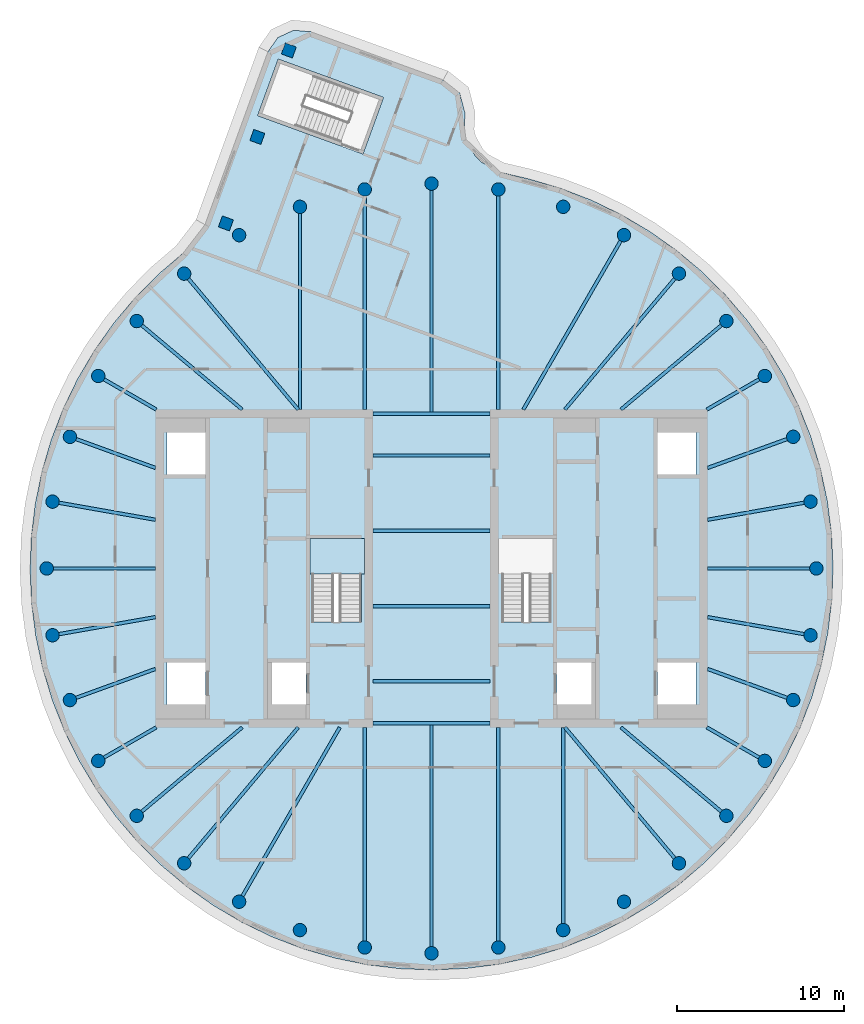
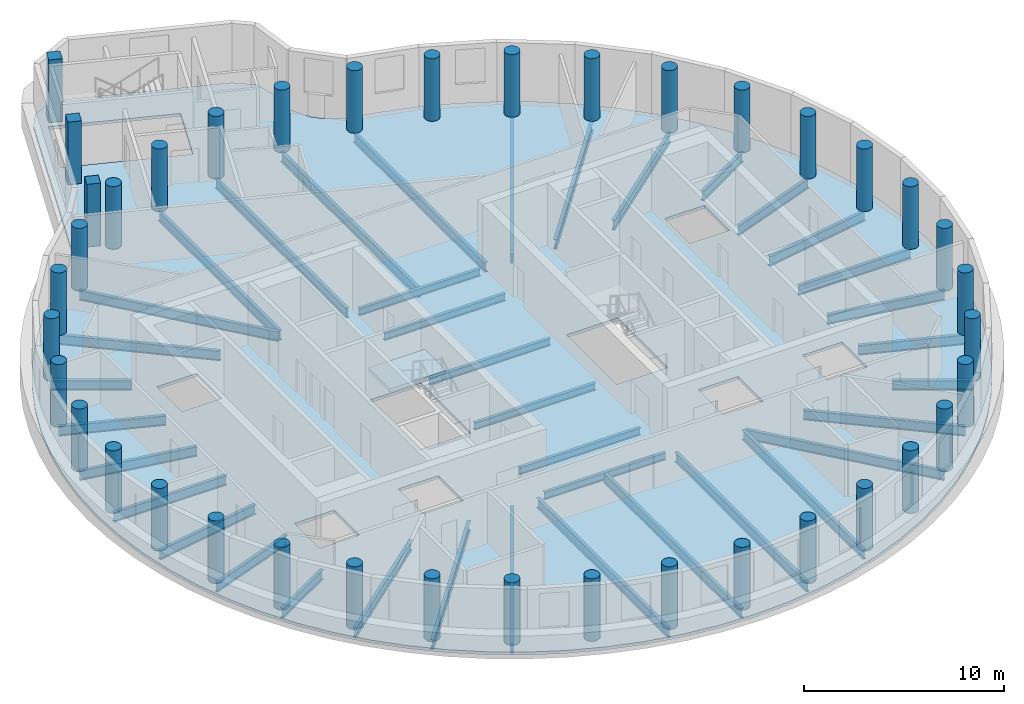
# One storey, part 1 of 7: 39 columns, 38 beams, 2 slabs, 1 element without a shape of its own.
"""IFC4 building model written with IfcOpenShell, lengths in metres."""

from ifc_helpers import new_model, si_unit, direction, frame, origin, origin_2d, place, context, subcontext, project, spatial, polyline, rectangle, circle, i_section, outline, extrude, material, layer, layer_set, material_profile, profile_set, type_object, element, aggregate, save


model = new_model("IFC4")

# Units and contexts
model_context = context("Model", 3, precision=1e-05, world=origin(), true_north=direction((0.0, 1.0)))
body_context = subcontext(model_context, "Body", "Model", "MODEL_VIEW")
ifc_project = project(units=[si_unit("LENGTHUNIT", "METRE"), si_unit("AREAUNIT", "SQUARE_METRE"), si_unit("VOLUMEUNIT", "CUBIC_METRE"), si_unit("PLANEANGLEUNIT", "RADIAN"), si_unit("MASSUNIT", "GRAM", prefix="KILO")], contexts=[model_context])

# Site, building, storey
site_placement = place(None, origin())
site = spatial("IfcSite", under=ifc_project, at=site_placement, CompositionType="ELEMENT")
building_placement = place(site_placement, origin())
building = spatial("IfcBuilding", under=site, at=building_placement, Name="Tamarind Cross Interchange Tower", CompositionType="ELEMENT")
storey_placement = place(building_placement, frame((0.0, 0.0, 305.39990234375)))
storey = spatial("IfcBuildingStorey", under=building, at=storey_placement, Name="L75", CompositionType="ELEMENT", Elevation=305.39990234375)

# Columns
ifc_material_1 = material(Name="Concrete C45", Category="concrete")
ifc_material_profile_1 = material_profile(ifc_material_1, rectangle(XDim=0.699951171875, YDim=0.699951171875, at=origin_2d()), Name="RC 700x700")
ifc_profile_set_1 = profile_set([ifc_material_profile_1], Name="Concrete C45")
column_type_1 = type_object("IfcColumnType", Name="Column RC 700x700 Concrete C45", PredefinedType="COLUMN", material=ifc_profile_set_1)
for number, where, z_axis, x_axis, name in (
    (1, (-8.530029296875, 30.957275390625, -0.179931640625), (0.0, 0.0, 1.0), (0.341993902024, 0.939702171424, 0.0), "Column L75-047"),
    (2, (-10.4111328125, 25.7890625, -0.179931640625), (0.0, 0.0, 1.0), (0.341993902024, 0.939702171424, 0.0), "Column L75-048"),
    (3, (-12.2919921875, 20.62060546875, -0.179931640625), (0.0, 0.0, 1.0), (0.341993902024, 0.939702171424, 0.0), "Column L75-049"),
):
    element("IfcColumn", number, at=place(storey_placement, frame(where, z_axis=z_axis, x_axis=x_axis)), inside=storey, type_object=column_type_1, Name=name, PredefinedType="COLUMN", context=body_context, shape_type="SweptSolid", body=[
        extrude(rectangle(XDim=0.699951171875, YDim=0.699951171875, at=origin_2d()), origin(), (0.0, 0.0, 1.0), 4.0),
    ])
ifc_material_profile_2 = material_profile(ifc_material_1, circle(Radius=0.39990234375, at=origin_2d()), Name="RC D800")
ifc_profile_set_2 = profile_set([ifc_material_profile_2], Name="Concrete C45")
column_type_2 = type_object("IfcColumnType", Name="Column RC D800 Concrete C45", PredefinedType="COLUMN", material=ifc_profile_set_2)
for number, where, z_axis, x_axis, name in (
    (4, (23.0, 0.0, -0.179931640625), (0.0, 0.0, 1.0), (1.0, 0.0, 0.0), "Column L75-000"),
    (5, (22.650634765625, 3.993896484375, -0.179931640625), (0.0, 0.0, 1.0), (1.0, 0.0, 0.0), "Column L75-001"),
    (6, (21.613037109375, 7.866455078125, -0.179931640625), (0.0, 0.0, 1.0), (1.0, 0.0, 0.0), "Column L75-002"),
    (7, (19.918701171875, 11.5, -0.179931640625), (0.0, 0.0, 1.0), (1.0, 0.0, 0.0), "Column L75-003"),
    (8, (17.619140625, 14.7841796875, -0.179931640625), (0.0, 0.0, 1.0), (1.0, 0.0, 0.0), "Column L75-004"),
    (9, (14.7841796875, 17.619140625, -0.179931640625), (0.0, 0.0, 1.0), (1.0, 0.0, 0.0), "Column L75-005"),
    (10, (11.5, 19.918701171875, -0.179931640625), (0.0, 0.0, 1.0), (1.0, 0.0, 0.0), "Column L75-006"),
    (11, (7.866455078125, 21.613037109375, -0.179931640625), (0.0, 0.0, 1.0), (1.0, 0.0, 0.0), "Column L75-007"),
    (12, (3.993896484375, 22.650634765625, -0.179931640625), (0.0, 0.0, 1.0), (1.0, 0.0, 0.0), "Column L75-008"),
    (13, (0.0, 23.0, -0.179931640625), (0.0, 0.0, 1.0), (1.0, 0.0, 0.0), "Column L75-009"),
    (14, (-3.993896484375, 22.650634765625, -0.179931640625), (0.0, 0.0, 1.0), (1.0, 0.0, 0.0), "Column L75-010"),
    (15, (-7.866455078125, 21.613037109375, -0.179931640625), (0.0, 0.0, 1.0), (1.0, 0.0, 0.0), "Column L75-011"),
    (16, (-11.5, 19.918701171875, -0.179931640625), (0.0, 0.0, 1.0), (1.0, 0.0, 0.0), "Column L75-012"),
    (17, (-14.7841796875, 17.619140625, -0.179931640625), (0.0, 0.0, 1.0), (1.0, 0.0, 0.0), "Column L75-013"),
    (18, (-17.619140625, 14.7841796875, -0.179931640625), (0.0, 0.0, 1.0), (1.0, 0.0, 0.0), "Column L75-014"),
    (19, (-19.918701171875, 11.5, -0.179931640625), (0.0, 0.0, 1.0), (1.0, 0.0, 0.0), "Column L75-015"),
    (20, (-21.613037109375, 7.866455078125, -0.179931640625), (0.0, 0.0, 1.0), (1.0, 0.0, 0.0), "Column L75-016"),
    (21, (-22.650634765625, 3.993896484375, -0.179931640625), (0.0, 0.0, 1.0), (1.0, 0.0, 0.0), "Column L75-017"),
    (22, (-23.0, 0.0, -0.179931640625), (0.0, 0.0, 1.0), (1.0, 0.0, 0.0), "Column L75-018"),
    (23, (-22.650634765625, -3.993896484375, -0.179931640625), (0.0, 0.0, 1.0), (1.0, 0.0, 0.0), "Column L75-019"),
    (24, (-21.613037109375, -7.866455078125, -0.179931640625), (0.0, 0.0, 1.0), (1.0, 0.0, 0.0), "Column L75-020"),
    (25, (-19.918701171875, -11.5, -0.179931640625), (0.0, 0.0, 1.0), (1.0, 0.0, 0.0), "Column L75-021"),
    (26, (-17.619140625, -14.7841796875, -0.179931640625), (0.0, 0.0, 1.0), (1.0, 0.0, 0.0), "Column L75-022"),
    (27, (-14.7841796875, -17.619140625, -0.179931640625), (0.0, 0.0, 1.0), (1.0, 0.0, 0.0), "Column L75-023"),
    (28, (-11.5, -19.918701171875, -0.179931640625), (0.0, 0.0, 1.0), (1.0, 0.0, 0.0), "Column L75-024"),
    (29, (-7.866455078125, -21.613037109375, -0.179931640625), (0.0, 0.0, 1.0), (1.0, 0.0, 0.0), "Column L75-025"),
    (30, (-3.993896484375, -22.650634765625, -0.179931640625), (0.0, 0.0, 1.0), (1.0, 0.0, 0.0), "Column L75-026"),
    (31, (0.0, -23.0, -0.179931640625), (0.0, 0.0, 1.0), (1.0, 0.0, 0.0), "Column L75-027"),
    (32, (3.993896484375, -22.650634765625, -0.179931640625), (0.0, 0.0, 1.0), (1.0, 0.0, 0.0), "Column L75-028"),
    (33, (7.866455078125, -21.613037109375, -0.179931640625), (0.0, 0.0, 1.0), (1.0, 0.0, 0.0), "Column L75-029"),
    (34, (11.5, -19.918701171875, -0.179931640625), (0.0, 0.0, 1.0), (1.0, 0.0, 0.0), "Column L75-030"),
    (35, (14.7841796875, -17.619140625, -0.179931640625), (0.0, 0.0, 1.0), (1.0, 0.0, 0.0), "Column L75-031"),
    (36, (17.619140625, -14.7841796875, -0.179931640625), (0.0, 0.0, 1.0), (1.0, 0.0, 0.0), "Column L75-032"),
    (37, (19.918701171875, -11.5, -0.179931640625), (0.0, 0.0, 1.0), (1.0, 0.0, 0.0), "Column L75-033"),
    (38, (21.613037109375, -7.866455078125, -0.179931640625), (0.0, 0.0, 1.0), (1.0, 0.0, 0.0), "Column L75-034"),
    (39, (22.650634765625, -3.993896484375, -0.179931640625), (0.0, 0.0, 1.0), (1.0, 0.0, 0.0), "Column L75-035"),
):
    element("IfcColumn", number, at=place(storey_placement, frame(where, z_axis=z_axis, x_axis=x_axis)), inside=storey, type_object=column_type_2, Name=name, PredefinedType="COLUMN", context=body_context, shape_type="SweptSolid", body=[
        extrude(circle(Radius=0.39990234375, at=origin_2d()), origin(), (0.0, 0.0, 1.0), 4.0),
    ])

# Beams
ifc_material_2 = material(Name="Steel Q355B", Category="steel")
ifc_material_profile_3 = material_profile(ifc_material_2, i_section(OverallWidth=0.198974609375, OverallDepth=0.446044921875, WebThickness=0.008056640625, FlangeThickness=0.011962890625, FilletRadius=0.012939453125, at=origin_2d()), Name="HN 446x199x8x12")
ifc_profile_set_3 = profile_set([ifc_material_profile_3], Name="Steel Q355B")
beam_type_1 = type_object("IfcBeamType", Name="Composite beam HN 446x199x8x12 Q355B", PredefinedType="BEAM", material=ifc_profile_set_3)
for number, where, z_axis, x_axis, name in (
    (40, (-3.5, -2.25, -0.40283203125), (1.0, 0.0, 0.0), (0.0, 1.0, 0.0), "Beam G-2.25"),
    (41, (-3.5, -6.75, -0.40283203125), (1.0, 0.0, 0.0), (0.0, 1.0, 0.0), "Beam G-6.75"),
    (42, (-3.5, -9.25, -0.40283203125), (1.0, 0.0, 0.0), (0.0, 1.0, 0.0), "Beam G-9.25"),
    (43, (-3.5, 2.25, -0.40283203125), (1.0, 0.0, 0.0), (0.0, 1.0, 0.0), "Beam G2.25"),
    (44, (-3.5, 6.75, -0.40283203125), (1.0, 0.0, 0.0), (0.0, 1.0, 0.0), "Beam G6.75"),
    (45, (-3.5, 9.25, -0.40283203125), (1.0, 0.0, 0.0), (0.0, 1.0, 0.0), "Beam G9.25"),
):
    element("IfcBeam", number, at=place(storey_placement, frame(where, z_axis=z_axis, x_axis=x_axis)), inside=storey, type_object=beam_type_1, Name=name, PredefinedType="BEAM", context=body_context, shape_type="SweptSolid", body=[
        extrude(i_section(OverallWidth=0.198974609375, OverallDepth=0.446044921875, WebThickness=0.008056640625, FlangeThickness=0.011962890625, FilletRadius=0.012939453125, at=origin_2d()), origin(), (0.0, 0.0, 1.0), 7.0),
    ])
ifc_material_profile_4 = material_profile(ifc_material_2, i_section(OverallWidth=0.198974609375, OverallDepth=0.595947265625, WebThickness=0.010009765625, FlangeThickness=0.014892578125, FilletRadius=0.012939453125, at=origin_2d()), Name="HN 596x199x10x15")
ifc_profile_set_4 = profile_set([ifc_material_profile_4], Name="Steel Q355B")
beam_type_2 = type_object("IfcBeamType", Name="Composite beam HN 596x199x10x15 Q355B", PredefinedType="BEAM", material=ifc_profile_set_4)
beam_1_placement = place(storey_placement, frame((23.0, 0.0, -0.477783203125), z_axis=(-1.0, 0.0, 0.0), x_axis=(0.0, -1.0, 0.0)))
element("IfcBeam", 46, at=beam_1_placement, inside=storey, type_object=beam_type_2, Name="Beam HH00", PredefinedType="BEAM", context=body_context, shape_type="SweptSolid", body=[
    extrude(i_section(OverallWidth=0.198974609375, OverallDepth=0.595947265625, WebThickness=0.010009765625, FlangeThickness=0.014892578125, FilletRadius=0.012939453125, at=origin_2d()), origin(), (0.0, 0.0, 1.0), 6.5),
])
beam_2_placement = place(storey_placement, frame((22.650634765625, 3.993896484375, -0.477783203125), z_axis=(-0.984809127561, -0.173640382036, 0.0), x_axis=(0.173640382036, -0.984809127561, 0.0)))
element("IfcBeam", 47, at=beam_2_placement, inside=storey, type_object=beam_type_2, Name="Beam HH01", PredefinedType="BEAM", context=body_context, shape_type="SweptSolid", body=[
    extrude(i_section(OverallWidth=0.198974609375, OverallDepth=0.595947265625, WebThickness=0.010009765625, FlangeThickness=0.014892578125, FilletRadius=0.012939453125, at=origin_2d()), origin(), (0.0, 0.0, 1.0), 6.24560546875),
])
beam_3_placement = place(storey_placement, frame((21.613037109375, 7.866455078125, -0.477783203125), z_axis=(-0.939701685589, -0.341995236956, 0.0), x_axis=(0.341995236956, -0.939701685589, 0.0)))
element("IfcBeam", 48, at=beam_3_placement, inside=storey, type_object=beam_type_2, Name="Beam HH02", PredefinedType="BEAM", context=body_context, shape_type="SweptSolid", body=[
    extrude(i_section(OverallWidth=0.198974609375, OverallDepth=0.595947265625, WebThickness=0.010009765625, FlangeThickness=0.014892578125, FilletRadius=0.012939453125, at=origin_2d()), origin(), (0.0, 0.0, 1.0), 5.441162109375),
])
beam_4_placement = place(storey_placement, frame((19.918701171875, 11.5, -0.477783203125), z_axis=(-0.866026010844, -0.49999894854, 0.0), x_axis=(0.49999894854, -0.866026010844, 0.0)))
element("IfcBeam", 49, at=beam_4_placement, inside=storey, type_object=beam_type_2, Name="Beam HH03", PredefinedType="BEAM", context=body_context, shape_type="SweptSolid", body=[
    extrude(i_section(OverallWidth=0.198974609375, OverallDepth=0.595947265625, WebThickness=0.010009765625, FlangeThickness=0.014892578125, FilletRadius=0.012939453125, at=origin_2d()), origin(), (0.0, 0.0, 1.0), 4.0),
])
beam_5_placement = place(storey_placement, frame((17.619140625, 14.7841796875, -0.477783203125), z_axis=(-0.766040580814, -0.642792212574, 0.0), x_axis=(0.642792212574, -0.766040580814, 0.0)))
element("IfcBeam", 50, at=beam_5_placement, inside=storey, type_object=beam_type_2, Name="Beam HH04", PredefinedType="BEAM", context=body_context, shape_type="SweptSolid", body=[
    extrude(i_section(OverallWidth=0.198974609375, OverallDepth=0.595947265625, WebThickness=0.010009765625, FlangeThickness=0.014892578125, FilletRadius=0.012939453125, at=origin_2d()), origin(), (0.0, 0.0, 1.0), 8.220703125),
])
beam_6_placement = place(storey_placement, frame((14.7841796875, 17.619140625, -0.477783203125), z_axis=(-0.642786293979, -0.766045547127, 0.0), x_axis=(0.766045547127, -0.642786293979, 0.0)))
element("IfcBeam", 51, at=beam_6_placement, inside=storey, type_object=beam_type_2, Name="Beam HH05", PredefinedType="BEAM", context=body_context, shape_type="SweptSolid", body=[
    extrude(i_section(OverallWidth=0.198974609375, OverallDepth=0.595947265625, WebThickness=0.010009765625, FlangeThickness=0.014892578125, FilletRadius=0.012939453125, at=origin_2d()), origin(), (0.0, 0.0, 1.0), 10.598876953125),
])
beam_7_placement = place(storey_placement, frame((11.5, 19.918701171875, -0.477783203125), z_axis=(-0.499993565836, -0.866029118519, 0.0), x_axis=(0.866029118519, -0.499993565836, 0.0)))
element("IfcBeam", 52, at=beam_7_placement, inside=storey, type_object=beam_type_2, Name="Beam HH06", PredefinedType="BEAM", context=body_context, shape_type="SweptSolid", body=[
    extrude(i_section(OverallWidth=0.198974609375, OverallDepth=0.595947265625, WebThickness=0.010009765625, FlangeThickness=0.014892578125, FilletRadius=0.012939453125, at=origin_2d()), origin(), (0.0, 0.0, 1.0), 12.030517578125),
])
beam_8_placement = place(storey_placement, frame((3.993896484375, 22.650634765625, -0.477783203125), z_axis=(0.0, -1.0, 0.0), x_axis=(1.0, 0.0, 0.0)))
element("IfcBeam", 53, at=beam_8_placement, inside=storey, type_object=beam_type_2, Name="Beam HH08", PredefinedType="BEAM", context=body_context, shape_type="SweptSolid", body=[
    extrude(i_section(OverallWidth=0.198974609375, OverallDepth=0.595947265625, WebThickness=0.010009765625, FlangeThickness=0.014892578125, FilletRadius=0.012939453125, at=origin_2d()), origin(), (0.0, 0.0, 1.0), 13.150634765625),
])
beam_9_placement = place(storey_placement, frame((0.0, 23.0, -0.477783203125), z_axis=(0.0, -1.0, 0.0), x_axis=(1.0, 0.0, 0.0)))
element("IfcBeam", 54, at=beam_9_placement, inside=storey, type_object=beam_type_2, Name="Beam HH09", PredefinedType="BEAM", context=body_context, shape_type="SweptSolid", body=[
    extrude(i_section(OverallWidth=0.198974609375, OverallDepth=0.595947265625, WebThickness=0.010009765625, FlangeThickness=0.014892578125, FilletRadius=0.012939453125, at=origin_2d()), origin(), (0.0, 0.0, 1.0), 13.75),
])
beam_10_placement = place(storey_placement, frame((-3.993896484375, 22.650634765625, -0.477783203125), z_axis=(0.0, -1.0, 0.0), x_axis=(1.0, 0.0, 0.0)))
element("IfcBeam", 55, at=beam_10_placement, inside=storey, type_object=beam_type_2, Name="Beam HH10", PredefinedType="BEAM", context=body_context, shape_type="SweptSolid", body=[
    extrude(i_section(OverallWidth=0.198974609375, OverallDepth=0.595947265625, WebThickness=0.010009765625, FlangeThickness=0.014892578125, FilletRadius=0.012939453125, at=origin_2d()), origin(), (0.0, 0.0, 1.0), 13.150634765625),
])
beam_11_placement = place(storey_placement, frame((-7.866455078125, 21.613037109375, -0.477783203125), z_axis=(0.0, -1.0, 0.0), x_axis=(1.0, 0.0, 0.0)))
element("IfcBeam", 56, at=beam_11_placement, inside=storey, type_object=beam_type_2, Name="Beam HH11", PredefinedType="BEAM", context=body_context, shape_type="SweptSolid", body=[
    extrude(i_section(OverallWidth=0.198974609375, OverallDepth=0.595947265625, WebThickness=0.010009765625, FlangeThickness=0.014892578125, FilletRadius=0.012939453125, at=origin_2d()), origin(), (0.0, 0.0, 1.0), 12.113037109375),
])
beam_12_placement = place(storey_placement, frame((-14.7841796875, 17.619140625, -0.477783203125), z_axis=(0.642786293979, -0.766045547127, 0.0), x_axis=(0.766045547127, 0.642786293979, 0.0)))
element("IfcBeam", 57, at=beam_12_placement, inside=storey, type_object=beam_type_2, Name="Beam HH13", PredefinedType="BEAM", context=body_context, shape_type="SweptSolid", body=[
    extrude(i_section(OverallWidth=0.198974609375, OverallDepth=0.595947265625, WebThickness=0.010009765625, FlangeThickness=0.014892578125, FilletRadius=0.012939453125, at=origin_2d()), origin(), (0.0, 0.0, 1.0), 10.598876953125),
])
beam_13_placement = place(storey_placement, frame((-17.619140625, 14.7841796875, -0.477783203125), z_axis=(0.766040580814, -0.642792212574, 0.0), x_axis=(0.642792212574, 0.766040580814, 0.0)))
element("IfcBeam", 58, at=beam_13_placement, inside=storey, type_object=beam_type_2, Name="Beam HH14", PredefinedType="BEAM", context=body_context, shape_type="SweptSolid", body=[
    extrude(i_section(OverallWidth=0.198974609375, OverallDepth=0.595947265625, WebThickness=0.010009765625, FlangeThickness=0.014892578125, FilletRadius=0.012939453125, at=origin_2d()), origin(), (0.0, 0.0, 1.0), 8.220703125),
])
beam_14_placement = place(storey_placement, frame((-19.918701171875, 11.5, -0.477783203125), z_axis=(0.866026010844, -0.49999894854, 0.0), x_axis=(0.49999894854, 0.866026010844, 0.0)))
element("IfcBeam", 59, at=beam_14_placement, inside=storey, type_object=beam_type_2, Name="Beam HH15", PredefinedType="BEAM", context=body_context, shape_type="SweptSolid", body=[
    extrude(i_section(OverallWidth=0.198974609375, OverallDepth=0.595947265625, WebThickness=0.010009765625, FlangeThickness=0.014892578125, FilletRadius=0.012939453125, at=origin_2d()), origin(), (0.0, 0.0, 1.0), 4.0),
])
beam_15_placement = place(storey_placement, frame((-21.613037109375, 7.866455078125, -0.477783203125), z_axis=(0.939701685589, -0.341995236956, 0.0), x_axis=(0.341995236956, 0.939701685589, 0.0)))
element("IfcBeam", 60, at=beam_15_placement, inside=storey, type_object=beam_type_2, Name="Beam HH16", PredefinedType="BEAM", context=body_context, shape_type="SweptSolid", body=[
    extrude(i_section(OverallWidth=0.198974609375, OverallDepth=0.595947265625, WebThickness=0.010009765625, FlangeThickness=0.014892578125, FilletRadius=0.012939453125, at=origin_2d()), origin(), (0.0, 0.0, 1.0), 5.441162109375),
])
beam_16_placement = place(storey_placement, frame((-22.650634765625, 3.993896484375, -0.477783203125), z_axis=(0.984809127561, -0.173640382036, 0.0), x_axis=(0.173640382036, 0.984809127561, 0.0)))
element("IfcBeam", 61, at=beam_16_placement, inside=storey, type_object=beam_type_2, Name="Beam HH17", PredefinedType="BEAM", context=body_context, shape_type="SweptSolid", body=[
    extrude(i_section(OverallWidth=0.198974609375, OverallDepth=0.595947265625, WebThickness=0.010009765625, FlangeThickness=0.014892578125, FilletRadius=0.012939453125, at=origin_2d()), origin(), (0.0, 0.0, 1.0), 6.24560546875),
])
beam_17_placement = place(storey_placement, frame((-23.0, 0.0, -0.477783203125), z_axis=(1.0, 0.0, 0.0), x_axis=(0.0, 1.0, 0.0)))
element("IfcBeam", 62, at=beam_17_placement, inside=storey, type_object=beam_type_2, Name="Beam HH18", PredefinedType="BEAM", context=body_context, shape_type="SweptSolid", body=[
    extrude(i_section(OverallWidth=0.198974609375, OverallDepth=0.595947265625, WebThickness=0.010009765625, FlangeThickness=0.014892578125, FilletRadius=0.012939453125, at=origin_2d()), origin(), (0.0, 0.0, 1.0), 6.5),
])
beam_18_placement = place(storey_placement, frame((-22.650634765625, -3.993896484375, -0.477783203125), z_axis=(0.984809127561, 0.173640382036, 0.0), x_axis=(-0.173640382036, 0.984809127561, 0.0)))
element("IfcBeam", 63, at=beam_18_placement, inside=storey, type_object=beam_type_2, Name="Beam HH19", PredefinedType="BEAM", context=body_context, shape_type="SweptSolid", body=[
    extrude(i_section(OverallWidth=0.198974609375, OverallDepth=0.595947265625, WebThickness=0.010009765625, FlangeThickness=0.014892578125, FilletRadius=0.012939453125, at=origin_2d()), origin(), (0.0, 0.0, 1.0), 6.24560546875),
])
beam_19_placement = place(storey_placement, frame((-21.613037109375, -7.866455078125, -0.477783203125), z_axis=(0.939701685589, 0.341995236956, 0.0), x_axis=(-0.341995236956, 0.939701685589, 0.0)))
element("IfcBeam", 64, at=beam_19_placement, inside=storey, type_object=beam_type_2, Name="Beam HH20", PredefinedType="BEAM", context=body_context, shape_type="SweptSolid", body=[
    extrude(i_section(OverallWidth=0.198974609375, OverallDepth=0.595947265625, WebThickness=0.010009765625, FlangeThickness=0.014892578125, FilletRadius=0.012939453125, at=origin_2d()), origin(), (0.0, 0.0, 1.0), 5.441162109375),
])
beam_20_placement = place(storey_placement, frame((-19.918701171875, -11.5, -0.477783203125), z_axis=(0.866026010844, 0.49999894854, 0.0), x_axis=(-0.49999894854, 0.866026010844, 0.0)))
element("IfcBeam", 65, at=beam_20_placement, inside=storey, type_object=beam_type_2, Name="Beam HH21", PredefinedType="BEAM", context=body_context, shape_type="SweptSolid", body=[
    extrude(i_section(OverallWidth=0.198974609375, OverallDepth=0.595947265625, WebThickness=0.010009765625, FlangeThickness=0.014892578125, FilletRadius=0.012939453125, at=origin_2d()), origin(), (0.0, 0.0, 1.0), 4.0),
])
beam_21_placement = place(storey_placement, frame((-17.619140625, -14.7841796875, -0.477783203125), z_axis=(0.766040580814, 0.642792212574, 0.0), x_axis=(-0.642792212574, 0.766040580814, 0.0)))
element("IfcBeam", 66, at=beam_21_placement, inside=storey, type_object=beam_type_2, Name="Beam HH22", PredefinedType="BEAM", context=body_context, shape_type="SweptSolid", body=[
    extrude(i_section(OverallWidth=0.198974609375, OverallDepth=0.595947265625, WebThickness=0.010009765625, FlangeThickness=0.014892578125, FilletRadius=0.012939453125, at=origin_2d()), origin(), (0.0, 0.0, 1.0), 8.220703125),
])
beam_22_placement = place(storey_placement, frame((-14.7841796875, -17.619140625, -0.477783203125), z_axis=(0.642786293979, 0.766045547127, 0.0), x_axis=(-0.766045547127, 0.642786293979, 0.0)))
element("IfcBeam", 67, at=beam_22_placement, inside=storey, type_object=beam_type_2, Name="Beam HH23", PredefinedType="BEAM", context=body_context, shape_type="SweptSolid", body=[
    extrude(i_section(OverallWidth=0.198974609375, OverallDepth=0.595947265625, WebThickness=0.010009765625, FlangeThickness=0.014892578125, FilletRadius=0.012939453125, at=origin_2d()), origin(), (0.0, 0.0, 1.0), 10.598876953125),
])
beam_23_placement = place(storey_placement, frame((-11.5, -19.918701171875, -0.477783203125), z_axis=(0.499993565836, 0.866029118519, 0.0), x_axis=(-0.866029118519, 0.499993565836, 0.0)))
element("IfcBeam", 68, at=beam_23_placement, inside=storey, type_object=beam_type_2, Name="Beam HH24", PredefinedType="BEAM", context=body_context, shape_type="SweptSolid", body=[
    extrude(i_section(OverallWidth=0.198974609375, OverallDepth=0.595947265625, WebThickness=0.010009765625, FlangeThickness=0.014892578125, FilletRadius=0.012939453125, at=origin_2d()), origin(), (0.0, 0.0, 1.0), 12.030517578125),
])
beam_24_placement = place(storey_placement, frame((-3.993896484375, -22.650634765625, -0.477783203125), z_axis=(0.0, 1.0, 0.0), x_axis=(-1.0, 0.0, 0.0)))
element("IfcBeam", 69, at=beam_24_placement, inside=storey, type_object=beam_type_2, Name="Beam HH26", PredefinedType="BEAM", context=body_context, shape_type="SweptSolid", body=[
    extrude(i_section(OverallWidth=0.198974609375, OverallDepth=0.595947265625, WebThickness=0.010009765625, FlangeThickness=0.014892578125, FilletRadius=0.012939453125, at=origin_2d()), origin(), (0.0, 0.0, 1.0), 13.150634765625),
])
beam_25_placement = place(storey_placement, frame((0.0, -23.0, -0.477783203125), z_axis=(0.0, 1.0, 0.0), x_axis=(-1.0, 0.0, 0.0)))
element("IfcBeam", 70, at=beam_25_placement, inside=storey, type_object=beam_type_2, Name="Beam HH27", PredefinedType="BEAM", context=body_context, shape_type="SweptSolid", body=[
    extrude(i_section(OverallWidth=0.198974609375, OverallDepth=0.595947265625, WebThickness=0.010009765625, FlangeThickness=0.014892578125, FilletRadius=0.012939453125, at=origin_2d()), origin(), (0.0, 0.0, 1.0), 13.75),
])
beam_26_placement = place(storey_placement, frame((3.993896484375, -22.650634765625, -0.477783203125), z_axis=(0.0, 1.0, 0.0), x_axis=(-1.0, 0.0, 0.0)))
element("IfcBeam", 71, at=beam_26_placement, inside=storey, type_object=beam_type_2, Name="Beam HH28", PredefinedType="BEAM", context=body_context, shape_type="SweptSolid", body=[
    extrude(i_section(OverallWidth=0.198974609375, OverallDepth=0.595947265625, WebThickness=0.010009765625, FlangeThickness=0.014892578125, FilletRadius=0.012939453125, at=origin_2d()), origin(), (0.0, 0.0, 1.0), 13.150634765625),
])
beam_27_placement = place(storey_placement, frame((7.866455078125, -21.613037109375, -0.477783203125), z_axis=(0.0, 1.0, 0.0), x_axis=(-1.0, 0.0, 0.0)))
element("IfcBeam", 72, at=beam_27_placement, inside=storey, type_object=beam_type_2, Name="Beam HH29", PredefinedType="BEAM", context=body_context, shape_type="SweptSolid", body=[
    extrude(i_section(OverallWidth=0.198974609375, OverallDepth=0.595947265625, WebThickness=0.010009765625, FlangeThickness=0.014892578125, FilletRadius=0.012939453125, at=origin_2d()), origin(), (0.0, 0.0, 1.0), 12.113037109375),
])
beam_28_placement = place(storey_placement, frame((14.7841796875, -17.619140625, -0.477783203125), z_axis=(-0.642786293979, 0.766045547127, 0.0), x_axis=(-0.766045547127, -0.642786293979, 0.0)))
element("IfcBeam", 73, at=beam_28_placement, inside=storey, type_object=beam_type_2, Name="Beam HH31", PredefinedType="BEAM", context=body_context, shape_type="SweptSolid", body=[
    extrude(i_section(OverallWidth=0.198974609375, OverallDepth=0.595947265625, WebThickness=0.010009765625, FlangeThickness=0.014892578125, FilletRadius=0.012939453125, at=origin_2d()), origin(), (0.0, 0.0, 1.0), 10.598876953125),
])
beam_29_placement = place(storey_placement, frame((17.619140625, -14.7841796875, -0.477783203125), z_axis=(-0.766040580814, 0.642792212574, 0.0), x_axis=(-0.642792212574, -0.766040580814, 0.0)))
element("IfcBeam", 74, at=beam_29_placement, inside=storey, type_object=beam_type_2, Name="Beam HH32", PredefinedType="BEAM", context=body_context, shape_type="SweptSolid", body=[
    extrude(i_section(OverallWidth=0.198974609375, OverallDepth=0.595947265625, WebThickness=0.010009765625, FlangeThickness=0.014892578125, FilletRadius=0.012939453125, at=origin_2d()), origin(), (0.0, 0.0, 1.0), 8.220703125),
])
beam_30_placement = place(storey_placement, frame((19.918701171875, -11.5, -0.477783203125), z_axis=(-0.866026010844, 0.49999894854, 0.0), x_axis=(-0.49999894854, -0.866026010844, 0.0)))
element("IfcBeam", 75, at=beam_30_placement, inside=storey, type_object=beam_type_2, Name="Beam HH33", PredefinedType="BEAM", context=body_context, shape_type="SweptSolid", body=[
    extrude(i_section(OverallWidth=0.198974609375, OverallDepth=0.595947265625, WebThickness=0.010009765625, FlangeThickness=0.014892578125, FilletRadius=0.012939453125, at=origin_2d()), origin(), (0.0, 0.0, 1.0), 4.0),
])
beam_31_placement = place(storey_placement, frame((21.613037109375, -7.866455078125, -0.477783203125), z_axis=(-0.939701685589, 0.341995236956, 0.0), x_axis=(-0.341995236956, -0.939701685589, 0.0)))
element("IfcBeam", 76, at=beam_31_placement, inside=storey, type_object=beam_type_2, Name="Beam HH34", PredefinedType="BEAM", context=body_context, shape_type="SweptSolid", body=[
    extrude(i_section(OverallWidth=0.198974609375, OverallDepth=0.595947265625, WebThickness=0.010009765625, FlangeThickness=0.014892578125, FilletRadius=0.012939453125, at=origin_2d()), origin(), (0.0, 0.0, 1.0), 5.441162109375),
])
beam_32_placement = place(storey_placement, frame((22.650634765625, -3.993896484375, -0.477783203125), z_axis=(-0.984809127561, 0.173640382036, 0.0), x_axis=(-0.173640382036, -0.984809127561, 0.0)))
element("IfcBeam", 77, at=beam_32_placement, inside=storey, type_object=beam_type_2, Name="Beam HH35", PredefinedType="BEAM", context=body_context, shape_type="SweptSolid", body=[
    extrude(i_section(OverallWidth=0.198974609375, OverallDepth=0.595947265625, WebThickness=0.010009765625, FlangeThickness=0.014892578125, FilletRadius=0.012939453125, at=origin_2d()), origin(), (0.0, 0.0, 1.0), 6.24560546875),
])

# Slab
ifc_material_3 = material(Name="Concrete C40", Category="concrete")
ifc_layer_1 = layer(ifc_material_3, 0.179931640625)
ifc_layer_set_1 = layer_set([ifc_layer_1], Name="Concrete C40")
slab_type_1 = type_object("IfcSlabType", Name="Composite slab 180 Concrete C40", PredefinedType="FLOOR", material=ifc_layer_set_1)
slab_1_placement = place(storey_placement, frame((0.0, 0.0, -0.179931640625)))
element("IfcSlab", 78, at=slab_1_placement, inside=storey, type_object=slab_type_1, Name="Floor slab L75", PredefinedType="FLOOR", context=body_context, shape_type="SweptSolid", body=[
    extrude(outline(polyline([(-9.18798828125, 31.72900390625), (-9.78173828125, 30.880859375), (-13.54248046875, 20.54736328125), (-14.847900390625, 18.848876953125), (-16.327880859375, 17.584228515625), (-17.72412109375, 16.17578125), (-18.99951171875, 14.656982421875), (-20.14501953125, 13.0380859375), (-21.15283203125, 11.329833984375), (-22.01611328125, 9.54443359375), (-22.72900390625, 7.693603515625), (-23.286865234375, 5.79052734375), (-23.685546875, 3.84765625), (-23.92236328125, 1.878662109375), (-23.99560546875, -0.103271484375), (-23.9052734375, -2.08447265625), (-23.651611328125, -4.051513671875), (-23.236083984375, -5.99072265625), (-22.662109375, -7.88916015625), (-21.93310546875, -9.7333984375), (-21.054443359375, -11.511474609375), (-20.031982421875, -13.2109375), (-18.87255859375, -14.820068359375), (-17.584228515625, -16.327880859375), (-16.17578125, -17.72412109375), (-14.656982421875, -18.99951171875), (-13.0380859375, -20.14501953125), (-11.329833984375, -21.15283203125), (-9.54443359375, -22.01611328125), (-7.693603515625, -22.72900390625), (-5.79052734375, -23.286865234375), (-3.84765625, -23.685546875), (-1.878662109375, -23.92236328125), (0.103271484375, -23.99560546875), (2.08447265625, -23.9052734375), (4.051513671875, -23.651611328125), (5.99072265625, -23.236083984375), (7.88916015625, -22.662109375), (9.7333984375, -21.93310546875), (11.511474609375, -21.054443359375), (13.2109375, -20.031982421875), (14.820068359375, -18.87255859375), (16.327880859375, -17.584228515625), (17.72412109375, -16.17578125), (18.99951171875, -14.656982421875), (20.14501953125, -13.0380859375), (21.15283203125, -11.329833984375), (22.01611328125, -9.54443359375), (22.72900390625, -7.693603515625), (23.286865234375, -5.79052734375), (23.685546875, -3.84765625), (23.92236328125, -1.878662109375), (23.99560546875, 0.103271484375), (23.9052734375, 2.08447265625), (23.651611328125, 4.051513671875), (23.236083984375, 5.99072265625), (22.662109375, 7.88916015625), (21.93310546875, 9.7333984375), (21.054443359375, 11.511474609375), (20.031982421875, 13.2109375), (18.87255859375, 14.820068359375), (17.584228515625, 16.327880859375), (16.17578125, 17.72412109375), (14.656982421875, 18.99951171875), (13.0380859375, 20.14501953125), (11.329833984375, 21.15283203125), (9.54443359375, 22.01611328125), (7.693603515625, 22.72900390625), (5.79052734375, 23.286865234375), (4.106689453125, 23.680908203125), (2.99658203125, 24.276123046875), (2.603515625, 24.663330078125), (2.0615234375, 25.6376953125), (1.940185546875, 26.17578125), (2.004638671875, 27.190673828125), (1.6826171875, 28.412109375), (0.692626953125, 29.197021484375), (-7.218505859375, 32.076171875), (-8.249755859375, 32.16650390625), (-9.18798828125, 31.72900390625)]), holes=[polyline([(-15.800048828125, -5.625), (-13.5, -5.625), (-13.5, -8.125), (-15.800048828125, -8.125), (-15.800048828125, -5.625)]), polyline([(-7.5, -5.625), (-7.5, -8.125), (-9.800048828125, -8.125), (-9.800048828125, -5.625), (-7.5, -5.625)]), polyline([(-13.5, 8.125), (-13.5, 5.625), (-15.800048828125, 5.625), (-15.800048828125, 8.125), (-13.5, 8.125)]), polyline([(-4.10009765625, 24.769287109375), (-10.396240234375, 27.060546875), (-10.327880859375, 27.24853515625), (-9.2333984375, 30.255615234375), (-9.1650390625, 30.443603515625), (-2.868896484375, 28.152099609375), (-2.9375, 27.964111328125), (-4.03173828125, 24.957275390625), (-4.10009765625, 24.769287109375)]), polyline([(7.5, -8.125), (7.5, -5.625), (9.800048828125, -5.625), (9.800048828125, -8.125), (7.5, -8.125)]), polyline([(13.5, -8.125), (13.5, -5.625), (15.800048828125, -5.625), (15.800048828125, -8.125), (13.5, -8.125)]), polyline([(-7.14990234375, 1.800048828125), (-4.199951171875, 1.800048828125), (-4.199951171875, -3.18798828125), (-7.14990234375, -3.18798828125), (-7.14990234375, 1.800048828125)]), polyline([(4.199951171875, 1.800048828125), (7.14990234375, 1.800048828125), (7.14990234375, -3.18798828125), (4.199951171875, -3.18798828125), (4.199951171875, 1.800048828125)]), polyline([(13.5, 5.625), (13.5, 8.125), (15.800048828125, 8.125), (15.800048828125, 5.625), (13.5, 5.625)])]), origin(), (0.0, 0.0, 1.0), 0.179931640625),
])

# Stair, slab
ifc_material_4 = material(Name="Exit stair")
stair_type = type_object("IfcStairType", Name="Exit stair", PredefinedType="HALF_TURN_STAIR", material=ifc_material_4)
stair_placement = place(storey_placement, origin())
stair = element("IfcStair", 79, at=stair_placement, inside=storey, type_object=stair_type, Name="L75 exit stair ST1", PredefinedType="HALF_TURN_STAIR")
ifc_layer_2 = layer(ifc_material_3, 0.199951171875)
ifc_layer_set_2 = layer_set([ifc_layer_2], Name="Concrete C40")
slab_type_2 = type_object("IfcSlabType", Name="Stair landing", PredefinedType="LANDING", material=ifc_layer_set_2)
slab_2_placement = place(storey_placement, frame((0.0, 0.0, 1.800048828125)))
slab_2 = element("IfcSlab", 80, at=slab_2_placement, type_object=slab_type_2, Name="ST1 landing 1", PredefinedType="LANDING", context=body_context, shape_type="SweptSolid", body=[
    extrude(outline(polyline([(-4.0, -0.340087890625), (-4.0, 1.800048828125), (-7.25, 1.800048828125), (-7.25, -0.340087890625), (-4.0, -0.340087890625)])), origin(), (0.0, 0.0, 1.0), 0.199951171875),
])
aggregate(stair, [slab_2])

save(model, "model.ifc")
